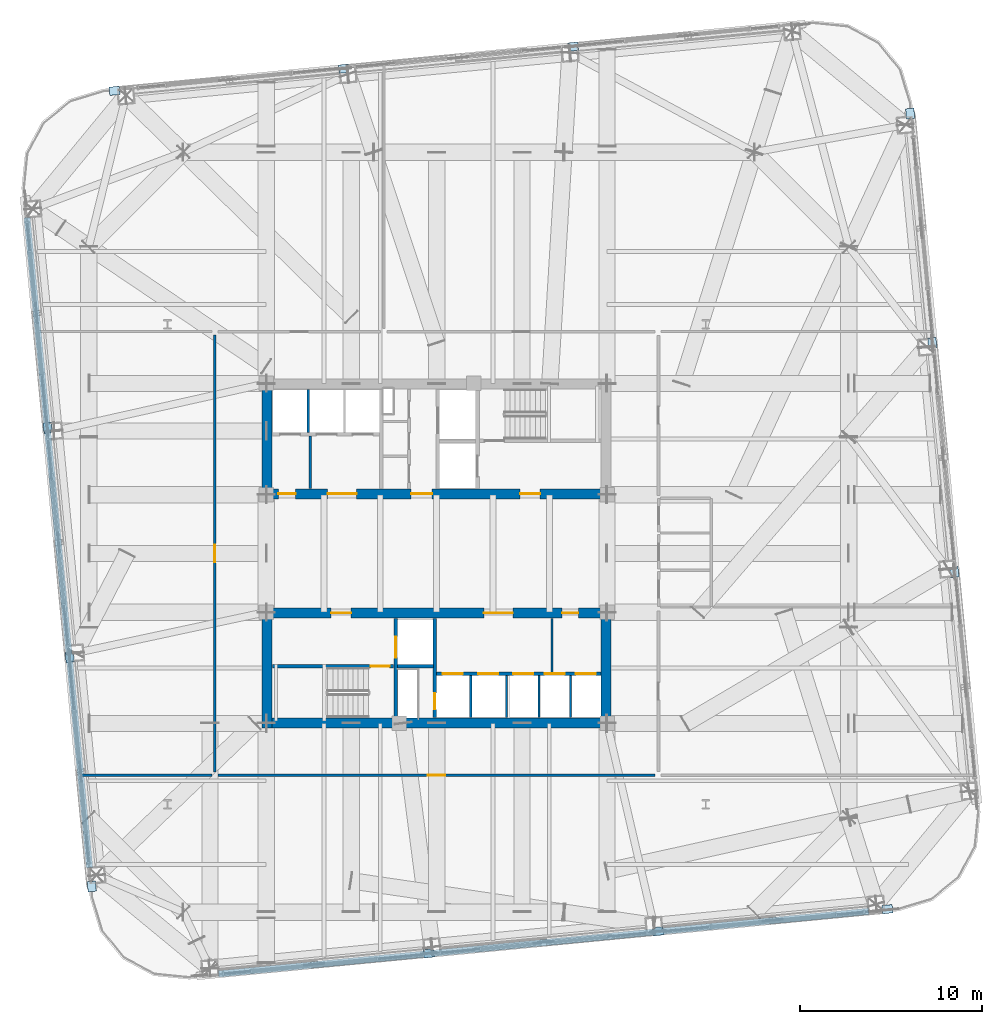
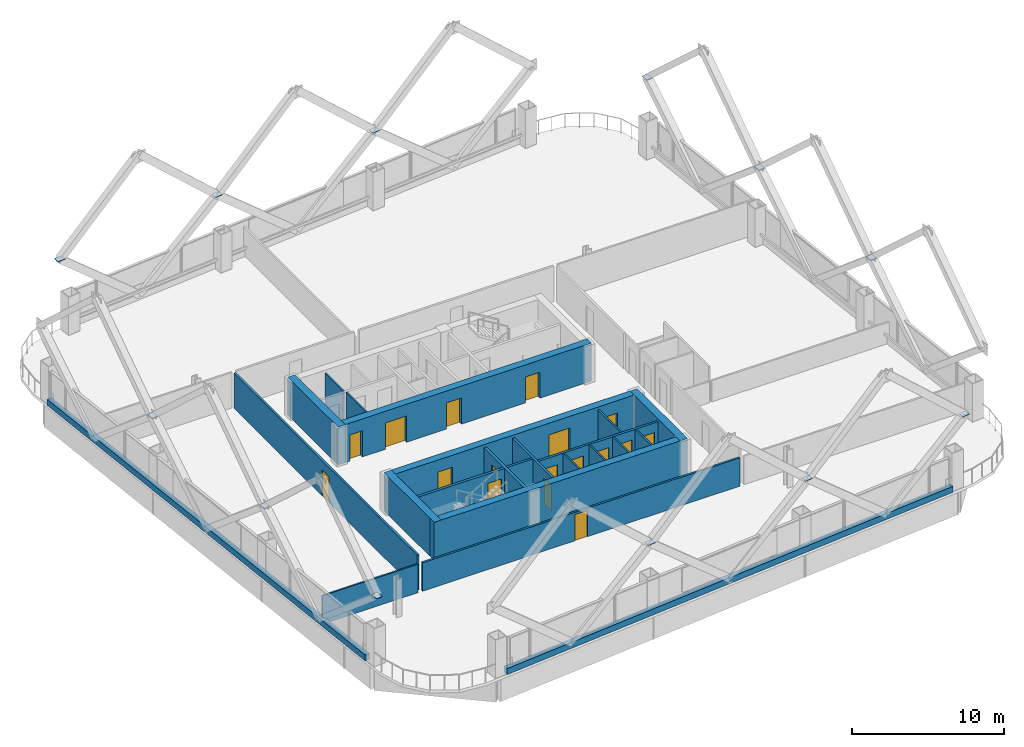
# One storey, part 37 of 42: 23 walls, 17 doors, 12 plates, 17 openings.
"""IFC4 building model written with IfcOpenShell, lengths in metres."""

from ifc_helpers import new_model, si_unit, direction, frame, frame_2d, origin, origin_2d, place, context, subcontext, project, spatial, rectangle, extrude, material, layer, layer_set, type_object, element, fill, save


model = new_model("IFC4")

# Units and contexts
model_context = context("Model", 3, precision=1e-05, world=origin(), true_north=direction((0.0, 1.0)))
body_context = subcontext(model_context, "Body", "Model", "MODEL_VIEW")
ifc_project = project(units=[si_unit("LENGTHUNIT", "METRE"), si_unit("AREAUNIT", "SQUARE_METRE"), si_unit("VOLUMEUNIT", "CUBIC_METRE"), si_unit("PLANEANGLEUNIT", "RADIAN"), si_unit("MASSUNIT", "GRAM", prefix="KILO")], contexts=[model_context])

# Site, building, storey
site_placement = place(None, origin())
site = spatial("IfcSite", under=ifc_project, at=site_placement, CompositionType="ELEMENT")
building_placement = place(site_placement, origin())
building = spatial("IfcBuilding", under=site, at=building_placement, Name="Qhalaya Broadcast Tower", CompositionType="ELEMENT")
storey_placement = place(building_placement, frame((0.0, 0.0, 69.449951171875)))
storey = spatial("IfcBuildingStorey", under=building, at=storey_placement, Name="L19", CompositionType="ELEMENT", Elevation=69.449951171875)

# Plates
ifc_material_1 = material(Name="Structural Steel ASTM A572 Grade 50", Category="steel")
ifc_layer_1 = layer(ifc_material_1, 0.4599609375, Name="Structural Steel ASTM A572 Grade 50")
ifc_layer_set_1 = layer_set([ifc_layer_1], Name="Structural Steel ASTM A572 Grade 50")
plate_type = type_object("IfcPlateType", Name="Hollow Box Member End Cap Plate CP-01", PredefinedType="USERDEFINED", material=ifc_layer_set_1)
for number, where, z_axis, x_axis, name in (
    (1, (-0.421630859375, -21.39453125, 5.72412109375), (0.0, 0.0, 1.0), (0.995396198367, 0.09584575252, 0.0), "Exoskeleton Hollow End Cap B2-S1"),
    (2, (12.1865234375, -20.180419921875, 5.72412109375), (0.0, 0.0, 1.0), (0.995396198367, 0.09584575252, 0.0), "Exoskeleton Hollow End Cap B2-S2"),
    (3, (24.794921875, -18.96630859375, 5.72412109375), (0.0, 0.0, 1.0), (0.995396198367, 0.09584575252, 0.0), "Exoskeleton Hollow End Cap B2-S3"),
    (4, (28.474609375, -0.421630859375, 5.72412109375), (0.0, 0.0, 1.0), (-0.09584575252, 0.995396198367, 0.0), "Exoskeleton Hollow End Cap B2-E1"),
    (5, (27.260498046875, 12.1865234375, 5.72412109375), (0.0, 0.0, 1.0), (-0.09584575252, 0.995396198367, 0.0), "Exoskeleton Hollow End Cap B2-E2"),
    (6, (26.04638671875, 24.794921875, 5.72412109375), (0.0, 0.0, 1.0), (-0.09584575252, 0.995396198367, 0.0), "Exoskeleton Hollow End Cap B2-E3"),
    (7, (7.501708984375, 28.474609375, 5.72412109375), (0.0, 0.0, 1.0), (0.995396198367, 0.09584575252, 0.0), "Exoskeleton Hollow End Cap B2-N1"),
    (8, (-5.106689453125, 27.260498046875, 5.72412109375), (0.0, 0.0, 1.0), (0.995396198367, 0.09584575252, 0.0), "Exoskeleton Hollow End Cap B2-N2"),
    (9, (-17.715087890625, 26.04638671875, 5.72412109375), (0.0, 0.0, 1.0), (0.995396198367, 0.09584575252, 0.0), "Exoskeleton Hollow End Cap B2-N3"),
    (10, (-21.39453125, 7.501708984375, 5.72412109375), (0.0, 0.0, 1.0), (-0.09584575252, 0.995396198367, 0.0), "Exoskeleton Hollow End Cap B2-W1"),
    (11, (-20.180419921875, -5.106689453125, 5.72412109375), (0.0, 0.0, 1.0), (-0.09584575252, 0.995396198367, 0.0), "Exoskeleton Hollow End Cap B2-W2"),
    (12, (-18.96630859375, -17.715087890625, 5.72412109375), (0.0, 0.0, 1.0), (-0.09584575252, 0.995396198367, 0.0), "Exoskeleton Hollow End Cap B2-W3"),
):
    element("IfcPlate", number, at=place(storey_placement, frame(where, z_axis=z_axis, x_axis=x_axis)), inside=storey, type_object=plate_type, Name=name, ObjectType="COVER_PLATE", PredefinedType="USERDEFINED", context=body_context, shape_type="SweptSolid", body=[
        extrude(rectangle(XDim=0.56005859375, YDim=0.4599609375, at=origin_2d()), origin(), (0.0, 0.0, 1.0), 0.031982421875),
    ])

# Wall, opening, door
ifc_material_2 = material(Name="Gypsum Acoustic Partition")
ifc_layer_2 = layer(ifc_material_2, 0.14990234375, Name="Gypsum Acoustic Partition")
ifc_layer_set_2 = layer_set([ifc_layer_2], Name="Gypsum Acoustic Partition")
wall_type_1 = type_object("IfcWallType", Name="Corridor & Tenancy Acoustic Partition 150", PredefinedType="PARTITIONING", material=ifc_layer_set_2)
wall_1_placement = place(storey_placement, frame((-12.02001953125, -11.60009765625, 0.0), z_axis=(0.0, 0.0, 1.0), x_axis=(1.0, 0.0, 0.0)))
wall_1 = element("IfcWall", 13, at=wall_1_placement, inside=storey, type_object=wall_type_1, Name="L19 Partition Wall W-COR-03", PredefinedType="PARTITIONING", context=body_context, shape_type="SweptSolid", body=[
    extrude(rectangle(XDim=24.0400390625, YDim=0.14990234375, at=frame_2d((12.02001953125, 0.0))), origin(), (0.0, 0.0, 1.0), 2.274169921875),
])
opening_1_placement = place(wall_1_placement, frame((11.544921875, 0.0, 0.0)))
opening_1 = element("IfcOpeningElement", 14, at=opening_1_placement, cuts=wall_1, Name="Opening D10", PredefinedType="OPENING", context=body_context, shape_type="SweptSolid", body=[
    extrude(rectangle(XDim=0.949951171875, YDim=2.10009765625, at=frame_2d((0.47509765625, 1.050048828125))), frame((0.0, 0.0869140625, 0.0), z_axis=(0.0, -1.0, 0.0), x_axis=(1.0, 0.0, 0.0)), (0.0, 0.0, 1.0), 0.173828125),
])
ifc_material_3 = material(Name="Timber Veneer Acoustic Door", Category="wood")
door_type_1 = type_object("IfcDoorType", Name="Cellular Office & Edit Booth Door D10", OperationType="NOTDEFINED", PredefinedType="DOOR", material=ifc_material_3)
door_1_placement = place(opening_1_placement, origin())
door_1 = element("IfcDoor", 15, at=door_1_placement, inside=storey, type_object=door_type_1, Name="L19 Door D-RM03", OperationType="SINGLE_SWING_LEFT", OverallHeight=2.10009765625, OverallWidth=0.949951171875, PredefinedType="DOOR", context=body_context, shape_type="SweptSolid", body=[
    extrude(rectangle(XDim=0.949951171875, YDim=2.10009765625, at=frame_2d((0.47509765625, 1.050048828125))), frame((0.0, 0.02490234375, 0.0), z_axis=(0.0, -1.0, 0.0), x_axis=(1.0, 0.0, 0.0)), (0.0, 0.0, 1.0), 0.050048828125),
])
fill(opening_1, door_1)

wall_2_placement = place(storey_placement, frame((-12.199951171875, -11.419921875, 0.0), z_axis=(0.0, 0.0, 1.0), x_axis=(0.0, 1.0, 0.0)))
wall_2 = element("IfcWall", 16, at=wall_2_placement, inside=storey, type_object=wall_type_1, Name="L19 Partition Wall W-COR-04", PredefinedType="PARTITIONING", context=body_context, shape_type="SweptSolid", body=[
    extrude(rectangle(XDim=24.0400390625, YDim=0.14990234375, at=frame_2d((12.02001953125, 0.0))), origin(), (0.0, 0.0, 1.0), 2.830078125),
])
opening_2_placement = place(wall_2_placement, frame((11.544921875, 0.0, 0.0)))
opening_2 = element("IfcOpeningElement", 17, at=opening_2_placement, cuts=wall_2, Name="Opening D10", PredefinedType="OPENING", context=body_context, shape_type="SweptSolid", body=[
    extrude(rectangle(XDim=0.949951171875, YDim=2.10009765625, at=frame_2d((0.47509765625, 1.050048828125))), frame((0.0, 0.0869140625, 0.0), z_axis=(0.0, -1.0, 0.0), x_axis=(1.0, 0.0, 0.0)), (0.0, 0.0, 1.0), 0.173828125),
])
door_2_placement = place(opening_2_placement, origin())
door_2 = element("IfcDoor", 18, at=door_2_placement, inside=storey, type_object=door_type_1, Name="L19 Door D-RM04", OperationType="SINGLE_SWING_RIGHT", OverallHeight=2.10009765625, OverallWidth=0.949951171875, PredefinedType="DOOR", context=body_context, shape_type="SweptSolid", body=[
    extrude(rectangle(XDim=0.949951171875, YDim=2.10009765625, at=frame_2d((0.47509765625, 1.050048828125))), frame((0.0, 0.02490234375, 0.0), z_axis=(0.0, -1.0, 0.0), x_axis=(1.0, 0.0, 0.0)), (0.0, 0.0, 1.0), 0.050048828125),
])
fill(opening_2, door_2)

# Walls
ifc_material_4 = material(Name="Precast Concrete C40/50", Category="concrete")
ifc_layer_3 = layer(ifc_material_4, 0.360107421875, Name="Precast Concrete C40/50")
ifc_layer_set_3 = layer_set([ifc_layer_3], Name="Precast Concrete C40/50")
wall_type_2 = type_object("IfcWallType", Name="Insulated Precast Terracotta Exterior Wall 360", PredefinedType="SOLIDWALL", material=ifc_layer_set_3)
for number, where, z_axis, x_axis, name in (
    (19, (23.763671875, -19.085693359375, 0.0), (0.0, 0.0, 1.0), (-0.99539565892, -0.095851354731, 0.0), "L19 Cantilever Block Sill Spandrel S"),
    (20, (-19.085693359375, -16.68359375, 0.0), (0.0, 0.0, 1.0), (-0.095851354731, 0.99539565892, 0.0), "L19 Cantilever Block Sill Spandrel W"),
):
    element("IfcWall", number, at=place(storey_placement, frame(where, z_axis=z_axis, x_axis=x_axis)), inside=storey, type_object=wall_type_2, Name=name, PredefinedType="SOLIDWALL", context=body_context, shape_type="SweptSolid", body=[
        extrude(rectangle(XDim=35.924072265625, YDim=0.360107421875, at=frame_2d((17.9619140625, 0.0))), origin(), (0.0, 0.0, 1.0), 0.47998046875),
    ])

# Wall, opening, door
ifc_material_5 = material(Name="Concrete C50/60", Category="concrete")
ifc_layer_4 = layer(ifc_material_5, 0.199951171875, Name="Concrete C50/60")
ifc_layer_set_4 = layer_set([ifc_layer_4], Name="Concrete C50/60")
wall_type_3 = type_object("IfcWallType", Name="Load-Bearing Stair Shaft Wall 200", PredefinedType="SHEAR", material=ifc_layer_set_4)
wall_3_placement = place(storey_placement, frame((-9.030029296875, -5.60498046875, 0.0), z_axis=(0.0, 0.0, 1.0), x_axis=(1.0, 0.0, 0.0)))
wall_3 = element("IfcWall", 21, at=wall_3_placement, inside=storey, type_object=wall_type_3, Name="L19 Stair Core Shear Wall SCW-ST2", PredefinedType="SHEAR", context=body_context, shape_type="SweptSolid", body=[
    extrude(rectangle(XDim=6.669921875, YDim=0.199951171875, at=frame_2d((3.3349609375, 0.0))), origin(), (0.0, 0.0, 1.0), 2.830078125),
])
opening_3_placement = place(wall_3_placement, frame((5.39990234375, 0.0, 0.0)))
opening_3 = element("IfcOpeningElement", 22, at=opening_3_placement, cuts=wall_3, Name="Opening D03", PredefinedType="OPENING", context=body_context, shape_type="SweptSolid", body=[
    extrude(rectangle(XDim=1.050048828125, YDim=2.080078125, at=frame_2d((0.52490234375, 1.0400390625))), frame((0.0, 0.112060546875, 0.0), z_axis=(0.0, -1.0, 0.0), x_axis=(1.0, 0.0, 0.0)), (0.0, 0.0, 1.0), 0.223876953125),
])
ifc_material_6 = material(Name="Fire-Rated Steel Door", Category="steel")
door_type_2 = type_object("IfcDoorType", Name="Core Stair Protected Fire Door D03", OperationType="NOTDEFINED", PredefinedType="DOOR", material=ifc_material_6)
door_3_placement = place(opening_3_placement, origin())
door_3 = element("IfcDoor", 23, at=door_3_placement, inside=storey, type_object=door_type_2, Name="L19 Door D-SST2", OperationType="SINGLE_SWING_RIGHT", OverallHeight=2.080078125, OverallWidth=1.050048828125, PredefinedType="DOOR", context=body_context, shape_type="SweptSolid", body=[
    extrude(rectangle(XDim=1.050048828125, YDim=2.080078125, at=frame_2d((0.52490234375, 1.0400390625))), frame((0.0, 0.02490234375, 0.0), z_axis=(0.0, -1.0, 0.0), x_axis=(1.0, 0.0, 0.0)), (0.0, 0.0, 1.0), 0.050048828125),
])
fill(opening_3, door_3)

wall_4_placement = place(storey_placement, frame((-2.25, -8.429931640625, 0.0), z_axis=(0.0, 0.0, 1.0), x_axis=(0.0, 1.0, 0.0)))
wall_4 = element("IfcWall", 24, at=wall_4_placement, inside=storey, type_object=wall_type_3, Name="L19 Stair Core Shear Wall SCW-FF", PredefinedType="SHEAR", context=body_context, shape_type="SweptSolid", body=[
    extrude(rectangle(XDim=5.4599609375, YDim=0.199951171875, at=frame_2d((2.72998046875, 0.0))), origin(), (0.0, 0.0, 1.0), 2.830078125),
])
opening_4_placement = place(wall_4_placement, frame((3.300048828125, 0.0, 0.0)))
opening_4 = element("IfcOpeningElement", 25, at=opening_4_placement, cuts=wall_4, Name="Opening LD2", PredefinedType="OPENING", context=body_context, shape_type="SweptSolid", body=[
    extrude(rectangle(XDim=1.14990234375, YDim=2.080078125, at=frame_2d((0.574951171875, 1.0400390625))), frame((0.0, 0.112060546875, 0.0), z_axis=(0.0, -1.0, 0.0), x_axis=(1.0, 0.0, 0.0)), (0.0, 0.0, 1.0), 0.223876953125),
])
ifc_material_7 = material(Name="Brushed Stainless Steel Lift Door", Category="steel")
door_type_3 = type_object("IfcDoorType", Name="Firefighting Lift Sliding Landing Door LD2", OperationType="DOUBLE_DOOR_SLIDING", PredefinedType="DOOR", material=ifc_material_7)
door_4_placement = place(opening_4_placement, origin())
door_4 = element("IfcDoor", 26, at=door_4_placement, inside=storey, type_object=door_type_3, Name="L19 Door LD-FF2", OperationType="DOUBLE_DOOR_SLIDING", OverallHeight=2.080078125, OverallWidth=1.14990234375, PredefinedType="DOOR", context=body_context, shape_type="SweptSolid", body=[
    extrude(rectangle(XDim=1.14990234375, YDim=2.080078125, at=frame_2d((0.574951171875, 1.0400390625))), frame((0.0, 0.02490234375, 0.0), z_axis=(0.0, -1.0, 0.0), x_axis=(1.0, 0.0, 0.0)), (0.0, 0.0, 1.0), 0.050048828125),
])
fill(opening_4, door_4)

# Wall, openings, doors
ifc_material_8 = material(Name="Concrete C60/75", Category="concrete")
ifc_layer_5 = layer(ifc_material_8, 0.550048828125, Name="Concrete C60/75")
ifc_layer_set_5 = layer_set([ifc_layer_5], Name="Concrete C60/75")
wall_type_4 = type_object("IfcWallType", Name="Lower Split-Core Shear Wall 550", PredefinedType="SHEAR", material=ifc_layer_set_5)
wall_5_placement = place(storey_placement, frame((-9.60009765625, 3.875, 0.0), z_axis=(0.0, 0.0, 1.0), x_axis=(1.0, 0.0, 0.0)))
wall_5 = element("IfcWall", 27, at=wall_5_placement, inside=storey, type_object=wall_type_4, Name="L19 Split-Core Shear Wall CW-NS", PredefinedType="SHEAR", context=body_context, shape_type="SweptSolid", body=[
    extrude(rectangle(XDim=19.2001953125, YDim=0.550048828125, at=frame_2d((9.60009765625, 0.0))), origin(), (0.0, 0.0, 1.0), 3.050048828125),
])
opening_5_placement = place(wall_5_placement, frame((14.199951171875, 0.0, 0.0)))
opening_5 = element("IfcOpeningElement", 28, at=opening_5_placement, cuts=wall_5, Name="Opening D04", PredefinedType="OPENING", context=body_context, shape_type="SweptSolid", body=[
    extrude(rectangle(XDim=1.10009765625, YDim=2.080078125, at=frame_2d((0.550048828125, 1.0400390625))), frame((0.0, 0.287109375, 0.0), z_axis=(0.0, -1.0, 0.0), x_axis=(1.0, 0.0, 0.0)), (0.0, 0.0, 1.0), 0.573974609375),
])
opening_6_placement = place(wall_5_placement, frame((8.199951171875, 0.0, 0.0)))
opening_6 = element("IfcOpeningElement", 29, at=opening_6_placement, cuts=wall_5, Name="Opening D05", PredefinedType="OPENING", context=body_context, shape_type="SweptSolid", body=[
    extrude(rectangle(XDim=1.14990234375, YDim=2.10009765625, at=frame_2d((0.574951171875, 1.050048828125))), frame((0.0, 0.287109375, 0.0), z_axis=(0.0, -1.0, 0.0), x_axis=(1.0, 0.0, 0.0)), (0.0, 0.0, 1.0), 0.573974609375),
])
opening_7_placement = place(wall_5_placement, frame((0.89990234375, 0.0, 0.0)))
opening_7 = element("IfcOpeningElement", 30, at=opening_7_placement, cuts=wall_5, Name="Opening D10", PredefinedType="OPENING", context=body_context, shape_type="SweptSolid", body=[
    extrude(rectangle(XDim=0.949951171875, YDim=2.10009765625, at=frame_2d((0.47509765625, 1.050048828125))), frame((0.0, 0.287109375, 0.0), z_axis=(0.0, -1.0, 0.0), x_axis=(1.0, 0.0, 0.0)), (0.0, 0.0, 1.0), 0.573974609375),
])
opening_8_placement = place(wall_5_placement, frame((3.60009765625, 0.0, 0.0)))
opening_8 = element("IfcOpeningElement", 31, at=opening_8_placement, cuts=wall_5, Name="Opening D07", PredefinedType="OPENING", context=body_context, shape_type="SweptSolid", body=[
    extrude(rectangle(XDim=1.60009765625, YDim=2.1201171875, at=frame_2d((0.800048828125, 1.06005859375))), frame((0.0, 0.287109375, 0.0), z_axis=(0.0, -1.0, 0.0), x_axis=(1.0, 0.0, 0.0)), (0.0, 0.0, 1.0), 0.573974609375),
])
door_5_placement = place(opening_7_placement, origin())
door_5 = element("IfcDoor", 32, at=door_5_placement, inside=storey, type_object=door_type_1, Name="L19 Door D-NLPNT", OperationType="SINGLE_SWING_RIGHT", OverallHeight=2.10009765625, OverallWidth=0.949951171875, PredefinedType="DOOR", context=body_context, shape_type="SweptSolid", body=[
    extrude(rectangle(XDim=0.949951171875, YDim=2.10009765625, at=frame_2d((0.47509765625, 1.050048828125))), frame((0.0, 0.02490234375, 0.0), z_axis=(0.0, -1.0, 0.0), x_axis=(1.0, 0.0, 0.0)), (0.0, 0.0, 1.0), 0.050048828125),
])
fill(opening_7, door_5)
door_type_4 = type_object("IfcDoorType", Name="Firefighting Lobby Rated Door D04", OperationType="NOTDEFINED", PredefinedType="DOOR", material=ifc_material_6)
door_6_placement = place(opening_5_placement, origin())
door_6 = element("IfcDoor", 33, at=door_6_placement, inside=storey, type_object=door_type_4, Name="L19 Door D-NFF", OperationType="SINGLE_SWING_RIGHT", OverallHeight=2.080078125, OverallWidth=1.10009765625, PredefinedType="DOOR", context=body_context, shape_type="SweptSolid", body=[
    extrude(rectangle(XDim=1.10009765625, YDim=2.080078125, at=frame_2d((0.550048828125, 1.0400390625))), frame((0.0, 0.02490234375, 0.0), z_axis=(0.0, -1.0, 0.0), x_axis=(1.0, 0.0, 0.0)), (0.0, 0.0, 1.0), 0.050048828125),
])
fill(opening_5, door_6)
ifc_material_9 = material(Name="Anodised Aluminium Glazed Door", Category="aluminium")
door_type_5 = type_object("IfcDoorType", Name="Passenger Lift Lobby Double Glazed Door D07", OperationType="DOUBLE_DOOR_SINGLE_SWING", PredefinedType="DOOR", material=ifc_material_9)
door_7_placement = place(opening_8_placement, origin())
door_7 = element("IfcDoor", 34, at=door_7_placement, inside=storey, type_object=door_type_5, Name="L19 Door D-NPLL", OperationType="DOUBLE_DOOR_SINGLE_SWING", OverallHeight=2.1201171875, OverallWidth=1.60009765625, PredefinedType="DOOR", context=body_context, shape_type="SweptSolid", body=[
    extrude(rectangle(XDim=1.60009765625, YDim=2.1201171875, at=frame_2d((0.800048828125, 1.06005859375))), frame((0.0, 0.02490234375, 0.0), z_axis=(0.0, -1.0, 0.0), x_axis=(1.0, 0.0, 0.0)), (0.0, 0.0, 1.0), 0.050048828125),
])
fill(opening_8, door_7)
door_type_6 = type_object("IfcDoorType", Name="Refuge & Plant Room Fire Door D05", OperationType="NOTDEFINED", PredefinedType="DOOR", material=ifc_material_6)
door_8_placement = place(opening_6_placement, origin())
door_8 = element("IfcDoor", 35, at=door_8_placement, inside=storey, type_object=door_type_6, Name="L19 Door D-NSVL", OperationType="SINGLE_SWING_LEFT", OverallHeight=2.10009765625, OverallWidth=1.14990234375, PredefinedType="DOOR", context=body_context, shape_type="SweptSolid", body=[
    extrude(rectangle(XDim=1.14990234375, YDim=2.10009765625, at=frame_2d((0.574951171875, 1.050048828125))), frame((0.0, 0.02490234375, 0.0), z_axis=(0.0, -1.0, 0.0), x_axis=(1.0, 0.0, 0.0)), (0.0, 0.0, 1.0), 0.050048828125),
])
fill(opening_6, door_8)

# Walls
wall_6_placement = place(storey_placement, frame((-9.324951171875, 3.60009765625, 0.0), z_axis=(0.0, 0.0, 1.0), x_axis=(0.0, 1.0, 0.0)))
element("IfcWall", 36, at=wall_6_placement, inside=storey, type_object=wall_type_4, Name="L19 Split-Core Shear Wall CW-NW", PredefinedType="SHEAR", context=body_context, shape_type="SweptSolid", body=[
    extrude(rectangle(XDim=6.599853515625, YDim=0.550048828125, at=frame_2d((3.2998046875, 0.0))), origin(), (0.0, 0.0, 1.0), 3.050048828125),
])
wall_7_placement = place(storey_placement, frame((-9.60009765625, -8.72509765625, 0.0), z_axis=(0.0, 0.0, 1.0), x_axis=(1.0, 0.0, 0.0)))
element("IfcWall", 37, at=wall_7_placement, inside=storey, type_object=wall_type_4, Name="L19 Split-Core Shear Wall CW-SS", PredefinedType="SHEAR", context=body_context, shape_type="SweptSolid", body=[
    extrude(rectangle(XDim=19.2001953125, YDim=0.550048828125, at=frame_2d((9.60009765625, 0.0))), origin(), (0.0, 0.0, 1.0), 3.050048828125),
])

# Wall, openings, doors
wall_8_placement = place(storey_placement, frame((-9.60009765625, -2.675048828125, 0.0), z_axis=(0.0, 0.0, 1.0), x_axis=(1.0, 0.0, 0.0)))
wall_8 = element("IfcWall", 38, at=wall_8_placement, inside=storey, type_object=wall_type_4, Name="L19 Split-Core Shear Wall CW-SN", PredefinedType="SHEAR", context=body_context, shape_type="SweptSolid", body=[
    extrude(rectangle(XDim=19.2001953125, YDim=0.550048828125, at=frame_2d((9.60009765625, 0.0))), origin(), (0.0, 0.0, 1.0), 3.050048828125),
])
opening_9_placement = place(wall_8_placement, frame((3.800048828125, 0.0, 0.0)))
opening_9 = element("IfcOpeningElement", 39, at=opening_9_placement, cuts=wall_8, Name="Opening D04", PredefinedType="OPENING", context=body_context, shape_type="SweptSolid", body=[
    extrude(rectangle(XDim=1.10009765625, YDim=2.080078125, at=frame_2d((0.550048828125, 1.0400390625))), frame((0.0, 0.287109375, 0.0), z_axis=(0.0, -1.0, 0.0), x_axis=(1.0, 0.0, 0.0)), (0.0, 0.0, 1.0), 0.573974609375),
])
opening_10_placement = place(wall_8_placement, frame((12.199951171875, 0.0, 0.0)))
opening_10 = element("IfcOpeningElement", 40, at=opening_10_placement, cuts=wall_8, Name="Opening D07", PredefinedType="OPENING", context=body_context, shape_type="SweptSolid", body=[
    extrude(rectangle(XDim=1.60009765625, YDim=2.1201171875, at=frame_2d((0.800048828125, 1.06005859375))), frame((0.0, 0.287109375, 0.0), z_axis=(0.0, -1.0, 0.0), x_axis=(1.0, 0.0, 0.0)), (0.0, 0.0, 1.0), 0.573974609375),
])
opening_11_placement = place(wall_8_placement, frame((16.5, 0.0, 0.0)))
opening_11 = element("IfcOpeningElement", 41, at=opening_11_placement, cuts=wall_8, Name="Opening D06", PredefinedType="OPENING", context=body_context, shape_type="SweptSolid", body=[
    extrude(rectangle(XDim=0.89990234375, YDim=2.050048828125, at=frame_2d((0.449951171875, 1.02490234375))), frame((0.0, 0.287109375, 0.0), z_axis=(0.0, -1.0, 0.0), x_axis=(1.0, 0.0, 0.0)), (0.0, 0.0, 1.0), 0.573974609375),
])
door_9_placement = place(opening_9_placement, origin())
door_9 = element("IfcDoor", 42, at=door_9_placement, inside=storey, type_object=door_type_4, Name="L19 Door D-SFF", OperationType="SINGLE_SWING_LEFT", OverallHeight=2.080078125, OverallWidth=1.10009765625, PredefinedType="DOOR", context=body_context, shape_type="SweptSolid", body=[
    extrude(rectangle(XDim=1.10009765625, YDim=2.080078125, at=frame_2d((0.550048828125, 1.0400390625))), frame((0.0, 0.02490234375, 0.0), z_axis=(0.0, -1.0, 0.0), x_axis=(1.0, 0.0, 0.0)), (0.0, 0.0, 1.0), 0.050048828125),
])
fill(opening_9, door_9)
door_10_placement = place(opening_10_placement, origin())
door_10 = element("IfcDoor", 43, at=door_10_placement, inside=storey, type_object=door_type_5, Name="L19 Door D-SPLL", OperationType="DOUBLE_DOOR_SINGLE_SWING", OverallHeight=2.1201171875, OverallWidth=1.60009765625, PredefinedType="DOOR", context=body_context, shape_type="SweptSolid", body=[
    extrude(rectangle(XDim=1.60009765625, YDim=2.1201171875, at=frame_2d((0.800048828125, 1.06005859375))), frame((0.0, 0.02490234375, 0.0), z_axis=(0.0, -1.0, 0.0), x_axis=(1.0, 0.0, 0.0)), (0.0, 0.0, 1.0), 0.050048828125),
])
fill(opening_10, door_10)
door_type_7 = type_object("IfcDoorType", Name="Riser & Electrical Shaft Access Door D06", OperationType="NOTDEFINED", PredefinedType="DOOR", material=ifc_material_6)
door_11_placement = place(opening_11_placement, origin())
door_11 = element("IfcDoor", 44, at=door_11_placement, inside=storey, type_object=door_type_7, Name="L19 Door D-SSCST", OperationType="SINGLE_SWING_LEFT", OverallHeight=2.050048828125, OverallWidth=0.89990234375, PredefinedType="DOOR", context=body_context, shape_type="SweptSolid", body=[
    extrude(rectangle(XDim=0.89990234375, YDim=2.050048828125, at=frame_2d((0.449951171875, 1.02490234375))), frame((0.0, 0.02490234375, 0.0), z_axis=(0.0, -1.0, 0.0), x_axis=(1.0, 0.0, 0.0)), (0.0, 0.0, 1.0), 0.050048828125),
])
fill(opening_11, door_11)

# Walls
for number, where, z_axis, x_axis, name in (
    (45, (-9.324951171875, -9.0, 0.0), (0.0, 0.0, 1.0), (0.0, 1.0, 0.0), "L19 Split-Core Shear Wall CW-SW"),
    (46, (9.324951171875, -9.0, 0.0), (0.0, 0.0, 1.0), (0.0, 1.0, 0.0), "L19 Split-Core Shear Wall CW-SE"),
):
    element("IfcWall", number, at=place(storey_placement, frame(where, z_axis=z_axis, x_axis=x_axis)), inside=storey, type_object=wall_type_4, Name=name, PredefinedType="SHEAR", context=body_context, shape_type="SweptSolid", body=[
        extrude(rectangle(XDim=6.60009765625, YDim=0.550048828125, at=frame_2d((3.300048828125, 0.0))), origin(), (0.0, 0.0, 1.0), 3.050048828125),
    ])
ifc_layer_6 = layer(ifc_material_2, 0.1201171875, Name="Gypsum Acoustic Partition")
ifc_layer_set_6 = layer_set([ifc_layer_6], Name="Gypsum Acoustic Partition")
wall_type_5 = type_object("IfcWallType", Name="Office, Booth & Sanitary Partition 120", PredefinedType="PARTITIONING", material=ifc_layer_set_6)
wall_9_placement = place(storey_placement, frame((-7.06005859375, 7.25, 0.0), z_axis=(0.0, 0.0, 1.0), x_axis=(0.0, 1.0, 0.0)))
element("IfcWall", 47, at=wall_9_placement, inside=storey, type_object=wall_type_5, Name="L19 Partition Wall NCW-PD1", PredefinedType="PARTITIONING", context=body_context, shape_type="SweptSolid", body=[
    extrude(rectangle(XDim=2.3798828125, YDim=0.1201171875, at=frame_2d((1.18994140625, 0.0))), origin(), (0.0, 0.0, 1.0), 2.830078125),
])
wall_10_placement = place(storey_placement, frame((-6.949951171875, 4.169921875, 0.0), z_axis=(0.0, 0.0, 1.0), x_axis=(0.0, 1.0, 0.0)))
element("IfcWall", 48, at=wall_10_placement, inside=storey, type_object=wall_type_5, Name="L19 Partition Wall NCW-LKB", PredefinedType="PARTITIONING", context=body_context, shape_type="SweptSolid", body=[
    extrude(rectangle(XDim=2.89013671875, YDim=0.1201171875, at=frame_2d((1.445068359375, 0.0))), origin(), (0.0, 0.0, 1.0), 2.830078125),
])
for number, where, z_axis, x_axis, name in (
    (49, (1.8798828125, -8.429931640625, 0.0), (0.0, 0.0, 1.0), (0.0, 1.0, 0.0), "L19 Partition Wall SCW-MD4"),
    (50, (3.85009765625, -8.429931640625, 0.0), (0.0, 0.0, 1.0), (0.0, 1.0, 0.0), "L19 Partition Wall SCW-MD5"),
    (51, (5.639892578125, -8.429931640625, 0.0), (0.0, 0.0, 1.0), (0.0, 1.0, 0.0), "L19 Partition Wall SCW-HD6"),
    (52, (7.360107421875, -8.429931640625, 0.0), (0.0, 0.0, 1.0), (0.0, 1.0, 0.0), "L19 Partition Wall SCW-HD7"),
):
    element("IfcWall", number, at=place(storey_placement, frame(where, z_axis=z_axis, x_axis=x_axis)), inside=storey, type_object=wall_type_5, Name=name, PredefinedType="PARTITIONING", context=body_context, shape_type="SweptSolid", body=[
        extrude(rectangle(XDim=2.329833984375, YDim=0.1201171875, at=frame_2d((1.1650390625, 0.0))), origin(), (0.0, 0.0, 1.0), 2.830078125),
    ])
wall_11_placement = place(storey_placement, frame((6.35009765625, -5.93994140625, 0.0), z_axis=(0.0, 0.0, 1.0), x_axis=(0.0, 1.0, 0.0)))
element("IfcWall", 53, at=wall_11_placement, inside=storey, type_object=wall_type_5, Name="L19 Partition Wall SCW-LKB", PredefinedType="PARTITIONING", context=body_context, shape_type="SweptSolid", body=[
    extrude(rectangle(XDim=2.969970703125, YDim=0.1201171875, at=frame_2d((1.48486328125, 0.0))), origin(), (0.0, 0.0, 1.0), 2.830078125),
])
wall_12_placement = place(storey_placement, frame((-19.595458984375, -11.60009765625, 0.0), z_axis=(0.0, 0.0, 1.0), x_axis=(1.0, 0.0, 0.0)))
element("IfcWall", 54, at=wall_12_placement, inside=storey, type_object=wall_type_5, Name="L19 Partition Wall W-BNDW2", PredefinedType="PARTITIONING", context=body_context, shape_type="SweptSolid", body=[
    extrude(rectangle(XDim=7.25537109375, YDim=0.1201171875, at=frame_2d((3.627685546875, 0.0))), origin(), (0.0, 0.0, 1.0), 2.274169921875),
])

# Wall, opening, door
ifc_layer_7 = layer(ifc_material_2, 0.175048828125, Name="Gypsum Acoustic Partition")
ifc_layer_set_7 = layer_set([ifc_layer_7], Name="Gypsum Acoustic Partition")
wall_type_6 = type_object("IfcWallType", Name="Shaft & Riser Fire Partition 175", PredefinedType="PARTITIONING", material=ifc_layer_set_7)
wall_13_placement = place(storey_placement, frame((-0.10009765625, -8.429931640625, 0.0), z_axis=(0.0, 0.0, 1.0), x_axis=(0.0, 1.0, 0.0)))
wall_13 = element("IfcWall", 55, at=wall_13_placement, inside=storey, type_object=wall_type_6, Name="L19 Partition Wall SCW-FFE", PredefinedType="PARTITIONING", context=body_context, shape_type="SweptSolid", body=[
    extrude(rectangle(XDim=5.4599609375, YDim=0.175048828125, at=frame_2d((2.72998046875, 0.0))), origin(), (0.0, 0.0, 1.0), 2.830078125),
])
opening_12_placement = place(wall_13_placement, frame((0.449951171875, 0.0, 0.0)))
opening_12 = element("IfcOpeningElement", 56, at=opening_12_placement, cuts=wall_13, Name="Opening D06", PredefinedType="OPENING", context=body_context, shape_type="SweptSolid", body=[
    extrude(rectangle(XDim=0.89990234375, YDim=2.050048828125, at=frame_2d((0.449951171875, 1.02490234375))), frame((0.0, 0.099609375, 0.0), z_axis=(0.0, -1.0, 0.0), x_axis=(1.0, 0.0, 0.0)), (0.0, 0.0, 1.0), 0.198974609375),
])
door_12_placement = place(opening_12_placement, origin())
door_12 = element("IfcDoor", 57, at=door_12_placement, inside=storey, type_object=door_type_7, Name="L19 Riser Shaft Access Door D-SRSR", OperationType="SINGLE_SWING_LEFT", OverallHeight=2.050048828125, OverallWidth=0.89990234375, PredefinedType="DOOR", context=body_context, shape_type="SweptSolid", body=[
    extrude(rectangle(XDim=0.89990234375, YDim=2.050048828125, at=frame_2d((0.449951171875, 1.02490234375))), frame((0.0, 0.02490234375, 0.0), z_axis=(0.0, -1.0, 0.0), x_axis=(1.0, 0.0, 0.0)), (0.0, 0.0, 1.0), 0.050048828125),
])
fill(opening_12, door_12)

# Wall
wall_14_placement = place(storey_placement, frame((-2.14990234375, -5.60009765625, 0.0), z_axis=(0.0, 0.0, 1.0), x_axis=(1.0, 0.0, 0.0)))
element("IfcWall", 58, at=wall_14_placement, inside=storey, type_object=wall_type_6, Name="L19 Partition Wall SCW-FFM", PredefinedType="PARTITIONING", context=body_context, shape_type="SweptSolid", body=[
    extrude(rectangle(XDim=1.969970703125, YDim=0.175048828125, at=frame_2d((0.98486328125, 0.0))), origin(), (0.0, 0.0, 1.0), 2.830078125),
])

# Wall, openings, doors
wall_15_placement = place(storey_placement, frame((0.0, -6.02001953125, 0.0), z_axis=(0.0, 0.0, 1.0), x_axis=(1.0, 0.0, 0.0)))
wall_15 = element("IfcWall", 59, at=wall_15_placement, inside=storey, type_object=wall_type_6, Name="L19 Partition Wall SCW-SLB", PredefinedType="PARTITIONING", context=body_context, shape_type="SweptSolid", body=[
    extrude(rectangle(XDim=9.030029296875, YDim=0.175048828125, at=frame_2d((4.51513671875, 0.0))), origin(), (0.0, 0.0, 1.0), 2.830078125),
])
opening_13_placement = place(wall_15_placement, frame((0.330078125, 0.0, 0.0)))
opening_13 = element("IfcOpeningElement", 60, at=opening_13_placement, cuts=wall_15, Name="Opening LD1", PredefinedType="OPENING", context=body_context, shape_type="SweptSolid", body=[
    extrude(rectangle(XDim=1.10009765625, YDim=2.06005859375, at=frame_2d((0.550048828125, 1.030029296875))), frame((0.0, 0.099609375, 0.0), z_axis=(0.0, -1.0, 0.0), x_axis=(1.0, 0.0, 0.0)), (0.0, 0.0, 1.0), 0.198974609375),
])
opening_14_placement = place(wall_15_placement, frame((2.300048828125, 0.0, 0.0)))
opening_14 = element("IfcOpeningElement", 61, at=opening_14_placement, cuts=wall_15, Name="Opening LD1", PredefinedType="OPENING", context=body_context, shape_type="SweptSolid", body=[
    extrude(rectangle(XDim=1.10009765625, YDim=2.06005859375, at=frame_2d((0.550048828125, 1.030029296875))), frame((0.0, 0.099609375, 0.0), z_axis=(0.0, -1.0, 0.0), x_axis=(1.0, 0.0, 0.0)), (0.0, 0.0, 1.0), 0.198974609375),
])
opening_15_placement = place(wall_15_placement, frame((4.219970703125, 0.0, 0.0)))
opening_15 = element("IfcOpeningElement", 62, at=opening_15_placement, cuts=wall_15, Name="Opening LD1", PredefinedType="OPENING", context=body_context, shape_type="SweptSolid", body=[
    extrude(rectangle(XDim=1.10009765625, YDim=2.06005859375, at=frame_2d((0.550048828125, 1.030029296875))), frame((0.0, 0.099609375, 0.0), z_axis=(0.0, -1.0, 0.0), x_axis=(1.0, 0.0, 0.0)), (0.0, 0.0, 1.0), 0.198974609375),
])
opening_16_placement = place(wall_15_placement, frame((5.93994140625, 0.0, 0.0)))
opening_16 = element("IfcOpeningElement", 63, at=opening_16_placement, cuts=wall_15, Name="Opening LD1", PredefinedType="OPENING", context=body_context, shape_type="SweptSolid", body=[
    extrude(rectangle(XDim=1.10009765625, YDim=2.06005859375, at=frame_2d((0.550048828125, 1.030029296875))), frame((0.0, 0.099609375, 0.0), z_axis=(0.0, -1.0, 0.0), x_axis=(1.0, 0.0, 0.0)), (0.0, 0.0, 1.0), 0.198974609375),
])
opening_17_placement = place(wall_15_placement, frame((7.659912109375, 0.0, 0.0)))
opening_17 = element("IfcOpeningElement", 64, at=opening_17_placement, cuts=wall_15, Name="Opening LD1", PredefinedType="OPENING", context=body_context, shape_type="SweptSolid", body=[
    extrude(rectangle(XDim=1.10009765625, YDim=2.06005859375, at=frame_2d((0.550048828125, 1.030029296875))), frame((0.0, 0.099609375, 0.0), z_axis=(0.0, -1.0, 0.0), x_axis=(1.0, 0.0, 0.0)), (0.0, 0.0, 1.0), 0.198974609375),
])
door_type_8 = type_object("IfcDoorType", Name="Passenger Lift Sliding Landing Door LD1", OperationType="DOUBLE_DOOR_SLIDING", PredefinedType="DOOR", material=ifc_material_7)
door_13_placement = place(opening_13_placement, origin())
door_13 = element("IfcDoor", 65, at=door_13_placement, inside=storey, type_object=door_type_8, Name="L19 Door LD-P4", OperationType="DOUBLE_DOOR_SLIDING", OverallHeight=2.06005859375, OverallWidth=1.10009765625, PredefinedType="DOOR", context=body_context, shape_type="SweptSolid", body=[
    extrude(rectangle(XDim=1.10009765625, YDim=2.06005859375, at=frame_2d((0.550048828125, 1.030029296875))), frame((0.0, 0.02490234375, 0.0), z_axis=(0.0, -1.0, 0.0), x_axis=(1.0, 0.0, 0.0)), (0.0, 0.0, 1.0), 0.050048828125),
])
fill(opening_13, door_13)
door_14_placement = place(opening_14_placement, origin())
door_14 = element("IfcDoor", 66, at=door_14_placement, inside=storey, type_object=door_type_8, Name="L19 Door LD-P5", OperationType="DOUBLE_DOOR_SLIDING", OverallHeight=2.06005859375, OverallWidth=1.10009765625, PredefinedType="DOOR", context=body_context, shape_type="SweptSolid", body=[
    extrude(rectangle(XDim=1.10009765625, YDim=2.06005859375, at=frame_2d((0.550048828125, 1.030029296875))), frame((0.0, 0.02490234375, 0.0), z_axis=(0.0, -1.0, 0.0), x_axis=(1.0, 0.0, 0.0)), (0.0, 0.0, 1.0), 0.050048828125),
])
fill(opening_14, door_14)
door_15_placement = place(opening_15_placement, origin())
door_15 = element("IfcDoor", 67, at=door_15_placement, inside=storey, type_object=door_type_8, Name="L19 Door LD-P6", OperationType="DOUBLE_DOOR_SLIDING", OverallHeight=2.06005859375, OverallWidth=1.10009765625, PredefinedType="DOOR", context=body_context, shape_type="SweptSolid", body=[
    extrude(rectangle(XDim=1.10009765625, YDim=2.06005859375, at=frame_2d((0.550048828125, 1.030029296875))), frame((0.0, 0.02490234375, 0.0), z_axis=(0.0, -1.0, 0.0), x_axis=(1.0, 0.0, 0.0)), (0.0, 0.0, 1.0), 0.050048828125),
])
fill(opening_15, door_15)
door_16_placement = place(opening_16_placement, origin())
door_16 = element("IfcDoor", 68, at=door_16_placement, inside=storey, type_object=door_type_8, Name="L19 Door LD-P7", OperationType="DOUBLE_DOOR_SLIDING", OverallHeight=2.06005859375, OverallWidth=1.10009765625, PredefinedType="DOOR", context=body_context, shape_type="SweptSolid", body=[
    extrude(rectangle(XDim=1.10009765625, YDim=2.06005859375, at=frame_2d((0.550048828125, 1.030029296875))), frame((0.0, 0.02490234375, 0.0), z_axis=(0.0, -1.0, 0.0), x_axis=(1.0, 0.0, 0.0)), (0.0, 0.0, 1.0), 0.050048828125),
])
fill(opening_16, door_16)
door_17_placement = place(opening_17_placement, origin())
door_17 = element("IfcDoor", 69, at=door_17_placement, inside=storey, type_object=door_type_8, Name="L19 Door LD-P8", OperationType="DOUBLE_DOOR_SLIDING", OverallHeight=2.06005859375, OverallWidth=1.10009765625, PredefinedType="DOOR", context=body_context, shape_type="SweptSolid", body=[
    extrude(rectangle(XDim=1.10009765625, YDim=2.06005859375, at=frame_2d((0.550048828125, 1.030029296875))), frame((0.0, 0.02490234375, 0.0), z_axis=(0.0, -1.0, 0.0), x_axis=(1.0, 0.0, 0.0)), (0.0, 0.0, 1.0), 0.050048828125),
])
fill(opening_17, door_17)

save(model, "model.ifc")
